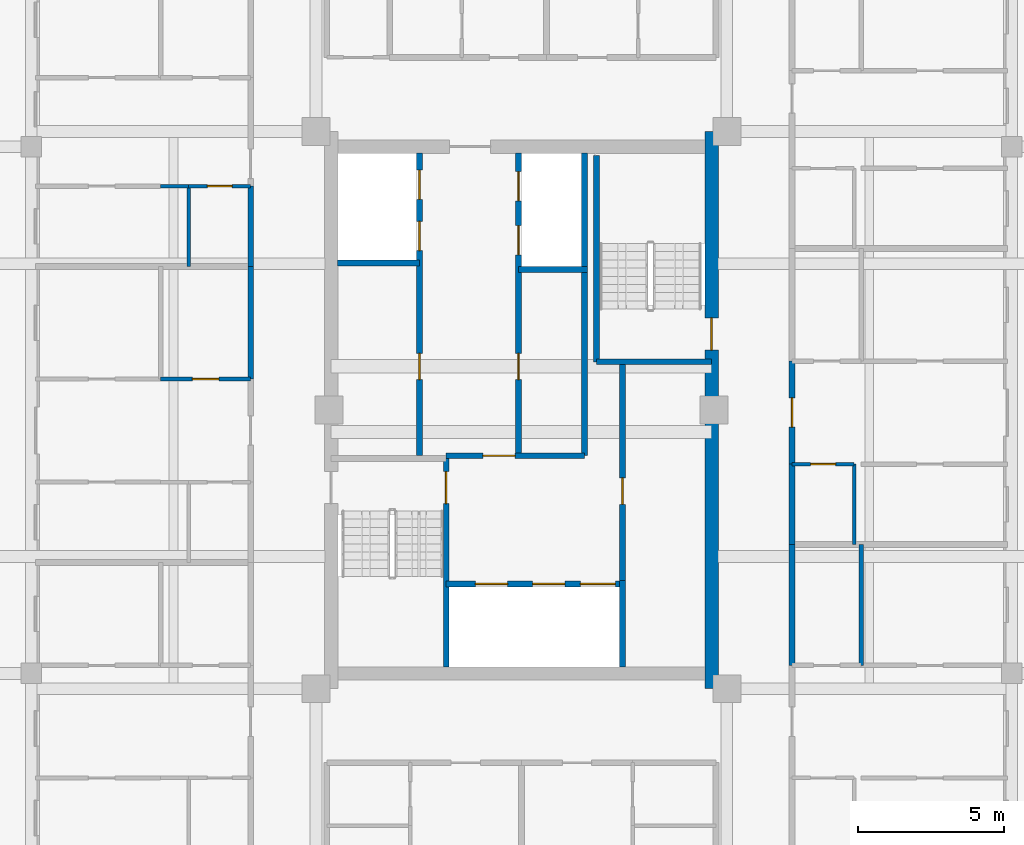
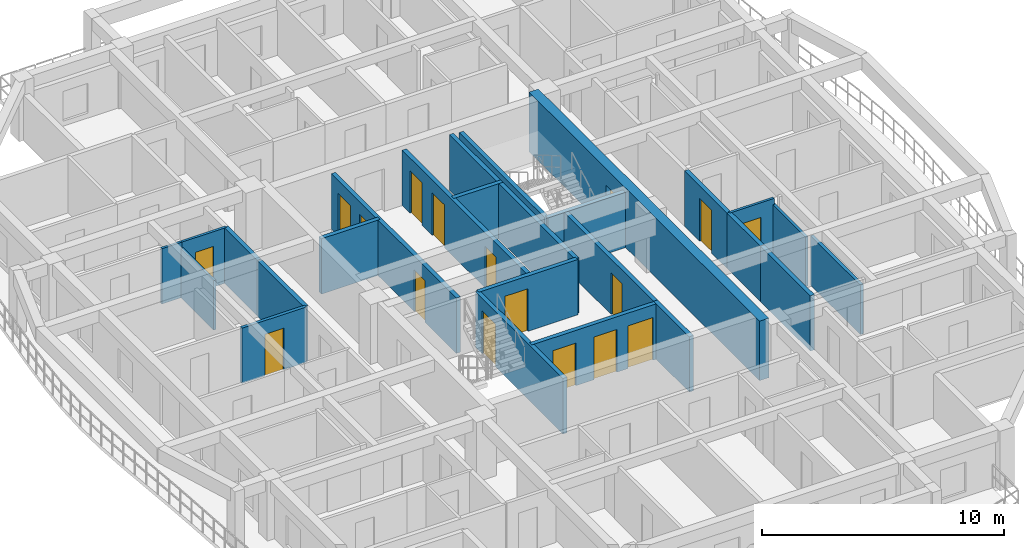
# One storey, part 4 of 13: 26 walls, 17 doors, 17 openings.
"""IFC4 building model written with IfcOpenShell, lengths in metres."""

import ifcopenshell
import ifcopenshell.guid

model = None  # the IFC model being written
_history = None  # IfcOwnerHistory: only IFC2X3 demands one
_inside = {}  # id of a spatial element -> (the spatial element, [elements in it])
_under = {}  # id of a project, library or spatial element -> (it, [spatial elements below it])
_declared = {}  # id of a project -> (the project, [libraries it declares])
_typed = {}  # id of a type object -> (the type object, [elements of that type])
_made_of = {}  # id of a material, layer set ... -> (it, [elements and type objects made of it])


def new_model(schema):
    """Start an empty IFC model of exactly this schema.

    Asked for "IFC4X3", IfcOpenShell would pick the latest addendum, in which some entities
    have other attributes; the version numbers below select the first issue.
    IFC2X3 requires an IfcOwnerHistory on every rooted entity: one is made here for all.
    """
    global model, _history
    if schema == "IFC4X3":
        model = ifcopenshell.file(schema_version=(4, 3, 0, 0))
    else:
        model = ifcopenshell.file(schema=schema)
    _inside.clear()
    _under.clear()
    _declared.clear()
    _typed.clear()
    _made_of.clear()
    _history = None
    if model.schema == "IFC2X3":
        org = make("IfcOrganization", Name="unknown")
        user = make(
            "IfcPersonAndOrganization",
            ThePerson=make("IfcPerson", FamilyName="unknown"),
            TheOrganization=org,
        )
        app = make(
            "IfcApplication",
            ApplicationDeveloper=org,
            Version="unknown",
            ApplicationFullName="unknown",
            ApplicationIdentifier="unknown",
        )
        _history = make(
            "IfcOwnerHistory",
            OwningUser=user,
            OwningApplication=app,
            ChangeAction="ADDED",
            CreationDate=0,
        )
    return model


def make(cls, **values):
    """One entity of the class cls with the attributes given. An attribute that is None is left unset."""
    return model.create_entity(
        cls, **{name: value for name, value in values.items() if value is not None}
    )


def rooted(cls, **values):
    """An entity with a GlobalId (a new one), such as an element, a storey or a relation."""
    return make(cls, GlobalId=ifcopenshell.guid.new(), OwnerHistory=_history, **values)


def si_unit(unit_type, name, prefix=None):
    """IfcSIUnit, for example si_unit("LENGTHUNIT", "METRE", prefix="MILLI")."""
    return make("IfcSIUnit", UnitType=unit_type, Prefix=prefix, Name=name)


def assignment(units):
    """IfcUnitAssignment: the units of a project."""
    return None if units is None else make("IfcUnitAssignment", Units=units)


def point(xyz):
    """IfcCartesianPoint."""
    return None if xyz is None else make("IfcCartesianPoint", Coordinates=xyz)


def direction(xyz):
    """IfcDirection."""
    return None if xyz is None else make("IfcDirection", DirectionRatios=xyz)


def frame(location, z_axis=None, x_axis=None):
    """IfcAxis2Placement3D, a coordinate frame: its origin and axes. An axis left out is left unset."""
    return make(
        "IfcAxis2Placement3D",
        Location=point(location),
        Axis=direction(z_axis),
        RefDirection=direction(x_axis),
    )


def frame_2d(location, x_axis=None):
    """IfcAxis2Placement2D, a coordinate frame in the plane: its origin and x axis."""
    return make(
        "IfcAxis2Placement2D", Location=point(location), RefDirection=direction(x_axis)
    )


def origin():
    """The frame at (0, 0, 0) with its axes left unset."""
    return frame((0.0, 0.0, 0.0))


def place(relative_to, where):
    """IfcLocalPlacement: puts the frame where relative to a parent placement (None: the world)."""
    return make(
        "IfcLocalPlacement", PlacementRelTo=relative_to, RelativePlacement=where
    )


def context(
    kind, dimensions, precision=None, world=None, true_north=None, identifier=None
):
    """IfcGeometricRepresentationContext, for example the 3D "Model" context."""
    return make(
        "IfcGeometricRepresentationContext",
        ContextIdentifier=identifier,
        ContextType=kind,
        CoordinateSpaceDimension=dimensions,
        Precision=precision,
        WorldCoordinateSystem=world,
        TrueNorth=true_north,
    )


def subcontext(parent, identifier, kind, view, scale=None):
    """IfcGeometricRepresentationSubContext, for example "Body" below "Model"."""
    return make(
        "IfcGeometricRepresentationSubContext",
        ContextIdentifier=identifier,
        ContextType=kind,
        ParentContext=parent,
        TargetScale=scale,
        TargetView=view,
    )


def project(units=None, contexts=None):
    """IfcProject with its units and contexts."""
    return rooted(
        "IfcProject",
        Name="project",
        RepresentationContexts=contexts,
        UnitsInContext=assignment(units),
    )


def spatial(cls, under=None, at=None, **own):
    """A site, building, storey or space (cls), placed at a placement, below another one or the project."""
    s = rooted(cls, ObjectPlacement=at, **own)
    if under is not None:
        _under.setdefault(under.id(), (under, []))[1].append(s)
    return s


def profile(cls, at=None, kind="AREA", **sizes):
    """A parametric profile (cls). Its sizes go by their IFC names, for example OverallWidth=200.0."""
    return make(cls, ProfileType=kind, Position=at, **sizes)


def rectangle(**sizes):
    """IfcRectangleProfileDef."""
    return profile("IfcRectangleProfileDef", **sizes)


def extrude(swept, where, along, depth):
    """IfcExtrudedAreaSolid: the profile swept, set in the frame where, extruded along a direction by depth."""
    return make(
        "IfcExtrudedAreaSolid",
        SweptArea=swept,
        Position=where,
        ExtrudedDirection=direction(along),
        Depth=depth,
    )


def shape(context_of_items, identifier, shape_type, items):
    """IfcShapeRepresentation: the items that make up one representation, for example the "Body"."""
    return make(
        "IfcShapeRepresentation",
        ContextOfItems=context_of_items,
        RepresentationIdentifier=identifier,
        RepresentationType=shape_type,
        Items=items,
    )


def source(mapping_origin, context_of_items, identifier, shape_type, items):
    """IfcRepresentationMap: a shape defined once, which mapped items show again and again."""
    return make(
        "IfcRepresentationMap",
        MappingOrigin=mapping_origin,
        MappedRepresentation=shape(context_of_items, identifier, shape_type, items),
    )


def transform(
    local_origin,
    x_axis=None,
    y_axis=None,
    z_axis=None,
    scale=None,
    scale2=None,
    scale3=None,
    uniform=True,
):
    """IfcCartesianTransformationOperator3D, or its non-uniform kind. x_axis, y_axis, z_axis: its Axis1, 2, 3."""
    if uniform:
        return make(
            "IfcCartesianTransformationOperator3D",
            Axis1=direction(x_axis),
            Axis2=direction(y_axis),
            LocalOrigin=point(local_origin),
            Scale=scale,
            Axis3=direction(z_axis),
        )
    return make(
        "IfcCartesianTransformationOperator3DnonUniform",
        Axis1=direction(x_axis),
        Axis2=direction(y_axis),
        LocalOrigin=point(local_origin),
        Scale=scale,
        Axis3=direction(z_axis),
        Scale2=scale2,
        Scale3=scale3,
    )


def mapped(mapping_source, mapping_target):
    """IfcMappedItem: shows the shape of a source again, moved by a transform."""
    return make(
        "IfcMappedItem", MappingSource=mapping_source, MappingTarget=mapping_target
    )


def material(Name=None, Category=None):
    """IfcMaterial."""
    return make("IfcMaterial", Name=Name, Category=Category)


def layer(
    of_material, thickness, ventilated=None, Name=None, Category=None, Priority=None
):
    """IfcMaterialLayer: one layer of a wall or slab, of a material (None: an air gap)."""
    return make(
        "IfcMaterialLayer",
        Material=of_material,
        LayerThickness=thickness,
        IsVentilated=ventilated,
        Name=Name,
        Category=Category,
        Priority=Priority,
    )


def layer_set(layers, Name=None):
    """IfcMaterialLayerSet."""
    return make("IfcMaterialLayerSet", MaterialLayers=layers, LayerSetName=Name)


def made_of(thing, what):
    """Note that an element or type object is made of a material, layer set ...; save() writes the relation."""
    if what is not None:
        _made_of.setdefault(what.id(), (what, []))[1].append(thing)
    return thing


def type_object(cls, material=None, **own):
    """A type object (cls), such as IfcWallType, which elements share."""
    return made_of(rooted(cls, **own), material)


def element(
    cls,
    number,
    at=None,
    inside=None,
    cuts=None,
    type_object=None,
    material=None,
    context=None,
    identifier="Body",
    shape_type=None,
    held_by="IfcProductDefinitionShape",
    body=None,
    shapes=None,
    **own,
):
    """One element of the class cls, such as IfcWall. Its Tag is "e" and its number.

    at: its placement. inside: the storey or other place that contains it. cuts: it is an
    opening in that element (IfcRelVoidsElement). A single representation is given by context,
    identifier, shape_type and body (its items); several are given by shapes. held_by: the class
    of the entity that holds the representations. save() writes the other relations.
    """
    e = rooted(cls, Tag="e%d" % number, ObjectPlacement=at, **own)
    if body is not None:
        shapes = [shape(context, identifier, shape_type, body)]
    if shapes is not None:
        e.Representation = make(held_by, Representations=shapes)
    if inside is not None:
        _inside.setdefault(inside.id(), (inside, []))[1].append(e)
    if cuts is not None:
        rooted(
            "IfcRelVoidsElement", RelatingBuildingElement=cuts, RelatedOpeningElement=e
        )
    if type_object is not None:
        _typed.setdefault(type_object.id(), (type_object, []))[1].append(e)
    return made_of(e, material)


def fill(opening, filler):
    """IfcRelFillsElement: the door or window that sits in an opening."""
    return rooted(
        "IfcRelFillsElement",
        RelatingOpeningElement=opening,
        RelatedBuildingElement=filler,
    )


def aggregate(whole, parts):
    """IfcRelAggregates: a whole, such as a stair, and the parts it consists of."""
    return rooted("IfcRelAggregates", RelatingObject=whole, RelatedObjects=parts)


def save(model, path):
    """Write the relations noted so far, then the file.

    IfcRelAggregates (storeys below a building ...), IfcRelContainedInSpatialStructure (elements
    in a storey), IfcRelDefinesByType, IfcRelAssociatesMaterial and IfcRelDeclares: one each for
    every whole, place, type object, material and project.
    """
    for whole, parts in _under.values():
        aggregate(whole, parts)
    for where, things in _inside.values():
        rooted(
            "IfcRelContainedInSpatialStructure",
            RelatedElements=things,
            RelatingStructure=where,
        )
    for kind, things in _typed.values():
        rooted("IfcRelDefinesByType", RelatedObjects=things, RelatingType=kind)
    for what, things in _made_of.values():
        rooted("IfcRelAssociatesMaterial", RelatedObjects=things, RelatingMaterial=what)
    for by, libraries in _declared.values():
        rooted("IfcRelDeclares", RelatingContext=by, RelatedDefinitions=libraries)
    model.write(path)


model = new_model("IFC4")

# Units and contexts
model_context = context("Model", 3, precision=1e-05, world=origin(), true_north=direction((0.0, 1.0)))
body_context = subcontext(model_context, "Body", "Model", "MODEL_VIEW")
ifc_project = project(units=[si_unit("LENGTHUNIT", "METRE"), si_unit("AREAUNIT", "SQUARE_METRE"), si_unit("VOLUMEUNIT", "CUBIC_METRE"), si_unit("PLANEANGLEUNIT", "RADIAN"), si_unit("MASSUNIT", "GRAM", prefix="KILO")], contexts=[model_context])

# Site, building, storey
site_placement = place(None, origin())
site = spatial("IfcSite", under=ifc_project, at=site_placement, CompositionType="ELEMENT")
building_placement = place(site_placement, origin())
building = spatial("IfcBuilding", under=site, at=building_placement, Name="Saelheon Loggia Tower", CompositionType="ELEMENT")
storey_placement = place(building_placement, frame((0.0, 0.0, 223.199951171875)))
storey = spatial("IfcBuildingStorey", under=building, at=storey_placement, Name="L69", CompositionType="ELEMENT", Elevation=223.199951171875)

# Wall, opening, door
ifc_material_1 = material(Name="Concrete C45/55", Category="concrete")
ifc_layer_1 = layer(ifc_material_1, 0.449951171875)
ifc_layer_set_1 = layer_set([ifc_layer_1], Name="Concrete C45/55")
wall_type_1 = type_object("IfcWallType", Name="Wall_CoreShear_450", PredefinedType="SHEAR", material=ifc_layer_set_1)
wall_1_placement = place(storey_placement, frame((44.5, 17.47998046875, 0.0), z_axis=(0.0, 0.0, 1.0), x_axis=(0.0, 1.0, 0.0)))
wall_1 = element("IfcWall", 1, at=wall_1_placement, inside=storey, type_object=wall_type_1, Name="L69 Core Shear Wall East", PredefinedType="SHEAR", context=body_context, shape_type="SweptSolid", body=[
    extrude(rectangle(XDim=19.0400390625, YDim=0.449951171875, at=frame_2d((9.52001953125, 0.0))), origin(), (0.0, 0.0, 1.0), 3.0),
])
opening_1_placement = place(wall_1_placement, frame((12.670166015625, 0.0, 0.0), z_axis=(0.0, 0.0, 1.0), x_axis=(-1.0, 0.0, 0.0)))
opening_1 = element("IfcOpeningElement", 2, at=opening_1_placement, cuts=wall_1, Name="Opening D-FD2", PredefinedType="OPENING", context=body_context, shape_type="SweptSolid", body=[
    extrude(rectangle(XDim=1.10009765625, YDim=2.14990234375, at=frame_2d((0.550048828125, 1.074951171875))), frame((0.0, 0.237060546875, 0.0), z_axis=(0.0, -1.0, 0.0), x_axis=(1.0, 0.0, 0.0)), (0.0, 0.0, 1.0), 0.473876953125),
])
ifc_material_2 = material(Name="Galvanised Steel Fire Door", Category="steel")
door_type_1 = type_object("IfcDoorType", Name="Door_Fire_FD60_1100", OperationType="NOTDEFINED", PredefinedType="DOOR", material=ifc_material_2)
shared_shape_1 = source(origin(), body_context, "Body", "SweptSolid", [
    extrude(rectangle(XDim=1.10009765625, YDim=2.14990234375, at=frame_2d((0.550048828125, 1.074951171875))), frame((0.0, 0.02490234375, 0.0), z_axis=(0.0, -1.0, 0.0), x_axis=(1.0, 0.0, 0.0)), (0.0, 0.0, 1.0), 0.050048828125),
])
door_1_placement = place(opening_1_placement, origin())
door_1 = element("IfcDoor", 3, at=door_1_placement, inside=storey, type_object=door_type_1, Name="L69 Stair ST2 Corridor Door", OperationType="SINGLE_SWING_RIGHT", OverallHeight=2.14990234375, OverallWidth=1.10009765625, PredefinedType="DOOR", context=body_context, shape_type="MappedRepresentation", body=[
    mapped(shared_shape_1, transform((0.0, 0.0, 0.0), scale=1.0)),
])
fill(opening_1, door_1)

ifc_material_3 = material(Name="Lightweight Autoclaved Aerated Concrete Block and Acoustic Gypsum", Category="concrete")
ifc_layer_2 = layer(ifc_material_3, 0.14990234375)
ifc_layer_set_2 = layer_set([ifc_layer_2], Name="Lightweight Autoclaved Aerated Concrete Block and Acoustic Gypsum")
wall_type_2 = type_object("IfcWallType", Name="Wall_Part_150", PredefinedType="PARTITIONING", material=ifc_layer_set_2)
wall_2_placement = place(storey_placement, frame((28.75, 28.06005859375, 0.0), z_axis=(0.0, 0.0, 1.0), x_axis=(-1.0, 0.0, 0.0)))
wall_2 = element("IfcWall", 4, at=wall_2_placement, inside=storey, type_object=wall_type_2, Name="L69 W Partition U22", PredefinedType="PARTITIONING", context=body_context, shape_type="SweptSolid", body=[
    extrude(rectangle(XDim=3.080078125, YDim=0.14990234375, at=frame_2d((1.5400390625, 0.0))), origin(), (0.0, 0.0, 1.0), 2.7900390625),
])
opening_2_placement = place(wall_2_placement, frame((1.090087890625, 0.0, 0.0)))
opening_2 = element("IfcOpeningElement", 5, at=opening_2_placement, cuts=wall_2, Name="Opening D-IN2", PredefinedType="OPENING", context=body_context, shape_type="SweptSolid", body=[
    extrude(rectangle(XDim=0.89990234375, YDim=2.10009765625, at=frame_2d((0.449951171875, 1.050048828125))), frame((0.0, 0.0869140625, 0.0), z_axis=(0.0, -1.0, 0.0), x_axis=(1.0, 0.0, 0.0)), (0.0, 0.0, 1.0), 0.173828125),
])
ifc_material_4 = material(Name="Engineered Oak Flush Door", Category="timber")
door_type_2 = type_object("IfcDoorType", Name="Door_Int_900", OperationType="NOTDEFINED", PredefinedType="DOOR", material=ifc_material_4)
shared_shape_2 = source(origin(), body_context, "Body", "SweptSolid", [
    extrude(rectangle(XDim=0.89990234375, YDim=2.10009765625, at=frame_2d((0.449951171875, 1.050048828125))), frame((0.0, 0.02490234375, 0.0), z_axis=(0.0, -1.0, 0.0), x_axis=(1.0, 0.0, 0.0)), (0.0, 0.0, 1.0), 0.050048828125),
])
door_2_placement = place(opening_2_placement, origin())
door_2 = element("IfcDoor", 6, at=door_2_placement, inside=storey, type_object=door_type_2, Name="Unit U06 Home Office Door", OperationType="SINGLE_SWING_LEFT", OverallHeight=2.10009765625, OverallWidth=0.89990234375, PredefinedType="DOOR", context=body_context, shape_type="MappedRepresentation", body=[
    mapped(shared_shape_2, transform((0.0, 0.0, 0.0), scale=1.0)),
])
fill(opening_2, door_2)

# Walls
wall_3_placement = place(storey_placement, frame((49.610107421875, 18.280029296875, 0.0), z_axis=(0.0, 0.0, 1.0), x_axis=(0.0, 1.0, 0.0)))
element("IfcWall", 7, at=wall_3_placement, inside=storey, type_object=wall_type_2, Name="L69 E Partition V07", PredefinedType="PARTITIONING", context=body_context, shape_type="SweptSolid", body=[
    extrude(rectangle(XDim=4.1240234375, YDim=0.14990234375, at=frame_2d((2.06201171875, 0.0))), origin(), (0.0, 0.0, 1.0), 2.489990234375),
])
ifc_material_5 = material(Name="Double Acoustic Stud and Fireboard Partition", Category="gypsum")
ifc_layer_3 = layer(ifc_material_5, 0.199951171875)
ifc_layer_set_3 = layer_set([ifc_layer_3], Name="Double Acoustic Stud and Fireboard Partition")
wall_type_3 = type_object("IfcWallType", Name="Wall_Party_200", PredefinedType="PARTITIONING", material=ifc_layer_set_3)
wall_4_placement = place(storey_placement, frame((28.75, 28.06005859375, 0.0), z_axis=(0.0, 0.0, 1.0), x_axis=(0.0, 1.0, 0.0)))
element("IfcWall", 8, at=wall_4_placement, inside=storey, type_object=wall_type_3, Name="L69 W Partition V16", PredefinedType="PARTITIONING", context=body_context, shape_type="SweptSolid", body=[
    extrude(rectangle(XDim=3.84228515625, YDim=0.199951171875, at=frame_2d((1.921142578125, 0.0))), origin(), (0.0, 0.0, 1.0), 2.7900390625),
])
wall_5_placement = place(storey_placement, frame((28.75, 31.90234375, 0.0), z_axis=(0.0, 0.0, 1.0), x_axis=(0.0, 1.0, 0.0)))
element("IfcWall", 9, at=wall_5_placement, inside=storey, type_object=wall_type_3, Name="L69 W Partition V25", PredefinedType="PARTITIONING", context=body_context, shape_type="SweptSolid", body=[
    extrude(rectangle(XDim=2.75, YDim=0.199951171875, at=frame_2d((1.375, 0.0))), origin(), (0.0, 0.0, 1.0), 2.7900390625),
])
wall_6_placement = place(storey_placement, frame((47.25, 18.280029296875, 0.0), z_axis=(0.0, 0.0, 1.0), x_axis=(0.0, 1.0, 0.0)))
element("IfcWall", 10, at=wall_6_placement, inside=storey, type_object=wall_type_3, Name="L69 E Partition V05", PredefinedType="PARTITIONING", context=body_context, shape_type="SweptSolid", body=[
    extrude(rectangle(XDim=4.1240234375, YDim=0.199951171875, at=frame_2d((2.06201171875, 0.0))), origin(), (0.0, 0.0, 1.0), 2.7900390625),
])
wall_7_placement = place(storey_placement, frame((47.25, 22.404052734375, 0.0), z_axis=(0.0, 0.0, 1.0), x_axis=(0.0, 1.0, 0.0)))
element("IfcWall", 11, at=wall_7_placement, inside=storey, type_object=wall_type_3, Name="L69 E Partition V13", PredefinedType="PARTITIONING", context=body_context, shape_type="SweptSolid", body=[
    extrude(rectangle(XDim=2.75, YDim=0.199951171875, at=frame_2d((1.375, 0.0))), origin(), (0.0, 0.0, 1.0), 2.7900390625),
])

# Wall, opening, door
wall_8_placement = place(storey_placement, frame((47.25, 25.154052734375, 0.0), z_axis=(0.0, 0.0, 1.0), x_axis=(0.0, 1.0, 0.0)))
wall_8 = element("IfcWall", 12, at=wall_8_placement, inside=storey, type_object=wall_type_3, Name="L69 E Partition V14", PredefinedType="PARTITIONING", context=body_context, shape_type="SweptSolid", body=[
    extrude(rectangle(XDim=3.518798828125, YDim=0.199951171875, at=frame_2d((1.75927734375, 0.0))), origin(), (0.0, 0.0, 1.0), 2.7900390625),
])
opening_3_placement = place(wall_8_placement, frame((1.259521484375, 0.0, 0.0)))
opening_3 = element("IfcOpeningElement", 13, at=opening_3_placement, cuts=wall_8, Name="Opening D-FD1", PredefinedType="OPENING", context=body_context, shape_type="SweptSolid", body=[
    extrude(rectangle(XDim=1.0, YDim=2.14990234375, at=frame_2d((0.5, 1.074951171875))), frame((0.0, 0.112060546875, 0.0), z_axis=(0.0, -1.0, 0.0), x_axis=(1.0, 0.0, 0.0)), (0.0, 0.0, 1.0), 0.223876953125),
])
ifc_material_6 = material(Name="Fire-Rated Engineered Timber Entrance Door", Category="wood")
door_type_3 = type_object("IfcDoorType", Name="Door_Flat_FD30S", OperationType="NOTDEFINED", PredefinedType="DOOR", material=ifc_material_6)
shared_shape_3 = source(origin(), body_context, "Body", "SweptSolid", [
    extrude(rectangle(XDim=1.0, YDim=2.14990234375, at=frame_2d((0.5, 1.074951171875))), frame((0.0, 0.02490234375, 0.0), z_axis=(0.0, -1.0, 0.0), x_axis=(1.0, 0.0, 0.0)), (0.0, 0.0, 1.0), 0.050048828125),
])
door_3_placement = place(opening_3_placement, origin())
door_3 = element("IfcDoor", 14, at=door_3_placement, inside=storey, type_object=door_type_3, Name="Unit U09 Entrance Door", OperationType="SINGLE_SWING_LEFT", OverallHeight=2.14990234375, OverallWidth=1.0, PredefinedType="DOOR", context=body_context, shape_type="MappedRepresentation", body=[
    mapped(shared_shape_3, transform((0.0, 0.0, 0.0), scale=1.0)),
])
fill(opening_3, door_3)

# Wall
ifc_material_7 = material(Name="Concrete C40/50", Category="concrete")
ifc_layer_4 = layer(ifc_material_7, 0.199951171875)
ifc_layer_set_4 = layer_set([ifc_layer_4], Name="Concrete C40/50")
wall_type_4 = type_object("IfcWallType", Name="Wall_Shaft_200", PredefinedType="PARTITIONING", material=ifc_layer_set_4)
wall_9_placement = place(storey_placement, frame((41.449951171875, 18.219970703125, 0.0), z_axis=(0.0, 0.0, 1.0), x_axis=(0.0, 1.0, 0.0)))
element("IfcWall", 15, at=wall_9_placement, inside=storey, type_object=wall_type_4, Name="CW-INT-L69-BOH-W0", PredefinedType="PARTITIONING", context=body_context, shape_type="SweptSolid", body=[
    extrude(rectangle(XDim=2.9599609375, YDim=0.199951171875, at=frame_2d((1.47998046875, 0.0))), origin(), (0.0, 0.0, 1.0), 2.7900390625),
])

# Wall, opening, door
wall_10_placement = place(storey_placement, frame((41.449951171875, 21.179931640625, 0.0), z_axis=(0.0, 0.0, 1.0), x_axis=(0.0, 1.0, 0.0)))
wall_10 = element("IfcWall", 16, at=wall_10_placement, inside=storey, type_object=wall_type_4, Name="CW-INT-L69-BOH-W1", PredefinedType="PARTITIONING", context=body_context, shape_type="SweptSolid", body=[
    extrude(rectangle(XDim=7.420166015625, YDim=0.199951171875, at=frame_2d((3.7099609375, 0.0))), origin(), (0.0, 0.0, 1.0), 2.7900390625),
])
opening_4_placement = place(wall_10_placement, frame((2.60009765625, 0.0, 0.0)))
opening_4 = element("IfcOpeningElement", 17, at=opening_4_placement, cuts=wall_10, Name="Opening D-RS1", PredefinedType="OPENING", context=body_context, shape_type="SweptSolid", body=[
    extrude(rectangle(XDim=0.89990234375, YDim=2.10009765625, at=frame_2d((0.449951171875, 1.050048828125))), frame((0.0, 0.112060546875, 0.0), z_axis=(0.0, -1.0, 0.0), x_axis=(1.0, 0.0, 0.0)), (0.0, 0.0, 1.0), 0.223876953125),
])
ifc_material_8 = material(Name="Galvanised Steel Riser Access Door", Category="steel")
door_type_4 = type_object("IfcDoorType", Name="Door_Riser_FD60", OperationType="NOTDEFINED", PredefinedType="DOOR", material=ifc_material_8)
door_4_placement = place(opening_4_placement, origin())
door_4 = element("IfcDoor", 18, at=door_4_placement, inside=storey, type_object=door_type_4, Name="L69 Core Service Store Door", OperationType="SINGLE_SWING_LEFT", OverallHeight=2.10009765625, OverallWidth=0.89990234375, PredefinedType="DOOR", context=body_context, shape_type="MappedRepresentation", body=[
    mapped(shared_shape_2, transform((0.0, 0.0, 0.0), scale=1.0)),
])
fill(opening_4, door_4)

# Walls
wall_11_placement = place(storey_placement, frame((40.14990234375, 25.43994140625, 0.0), z_axis=(0.0, 0.0, 1.0), x_axis=(0.0, 1.0, 0.0)))
element("IfcWall", 19, at=wall_11_placement, inside=storey, type_object=wall_type_4, Name="L69 Core Service Passage West Wall", PredefinedType="PARTITIONING", context=body_context, shape_type="SweptSolid", body=[
    extrude(rectangle(XDim=6.360107421875, YDim=0.199951171875, at=frame_2d((3.18017578125, 0.0))), origin(), (0.0, 0.0, 1.0), 2.7900390625),
])
wall_12_placement = place(storey_placement, frame((40.14990234375, 31.800048828125, 0.0), z_axis=(0.0, 0.0, 1.0), x_axis=(0.0, 1.0, 0.0)))
element("IfcWall", 20, at=wall_12_placement, inside=storey, type_object=wall_type_4, Name="L69 East High-Rise Hoistway East Wall", PredefinedType="PARTITIONING", context=body_context, shape_type="SweptSolid", body=[
    extrude(rectangle(XDim=3.97998046875, YDim=0.199951171875, at=frame_2d((1.989990234375, 0.0))), origin(), (0.0, 0.0, 1.0), 2.7900390625),
])

# Wall, openings, doors
wall_13_placement = place(storey_placement, frame((35.429931640625, 21.06005859375, 0.0), z_axis=(0.0, 0.0, 1.0), x_axis=(1.0, 0.0, 0.0)))
wall_13 = element("IfcWall", 21, at=wall_13_placement, inside=storey, type_object=wall_type_4, Name="L69 Firefighting Lift Shaft Front Wall", PredefinedType="PARTITIONING", context=body_context, shape_type="SweptSolid", body=[
    extrude(rectangle(XDim=6.02001953125, YDim=0.199951171875, at=frame_2d((3.010009765625, 0.0))), origin(), (0.0, 0.0, 1.0), 2.7900390625),
])
opening_5_placement = place(wall_13_placement, frame((1.0, 0.0, 0.0)))
opening_5 = element("IfcOpeningElement", 22, at=opening_5_placement, cuts=wall_13, Name="Opening LD2", PredefinedType="OPENING", context=body_context, shape_type="SweptSolid", body=[
    extrude(rectangle(XDim=1.10009765625, YDim=2.14990234375, at=frame_2d((0.550048828125, 1.074951171875))), frame((0.0, 0.112060546875, 0.0), z_axis=(0.0, -1.0, 0.0), x_axis=(1.0, 0.0, 0.0)), (0.0, 0.0, 1.0), 0.223876953125),
])
opening_6_placement = place(wall_13_placement, frame((2.949951171875, 0.0, 0.0)))
opening_6 = element("IfcOpeningElement", 23, at=opening_6_placement, cuts=wall_13, Name="Opening LD2", PredefinedType="OPENING", context=body_context, shape_type="SweptSolid", body=[
    extrude(rectangle(XDim=1.10009765625, YDim=2.14990234375, at=frame_2d((0.550048828125, 1.074951171875))), frame((0.0, 0.112060546875, 0.0), z_axis=(0.0, -1.0, 0.0), x_axis=(1.0, 0.0, 0.0)), (0.0, 0.0, 1.0), 0.223876953125),
])
opening_7_placement = place(wall_13_placement, frame((4.580078125, 0.0, 0.0)))
opening_7 = element("IfcOpeningElement", 24, at=opening_7_placement, cuts=wall_13, Name="Opening LD3", PredefinedType="OPENING", context=body_context, shape_type="SweptSolid", body=[
    extrude(rectangle(XDim=1.199951171875, YDim=2.14990234375, at=frame_2d((0.60009765625, 1.074951171875))), frame((0.0, 0.112060546875, 0.0), z_axis=(0.0, -1.0, 0.0), x_axis=(1.0, 0.0, 0.0)), (0.0, 0.0, 1.0), 0.223876953125),
])
ifc_material_9 = material(Name="Firefighting Stainless Steel 316 Landing Door", Category="steel")
door_type_5 = type_object("IfcDoorType", Name="Door_Lift_LD2", OperationType="DOUBLE_DOOR_SLIDING", PredefinedType="DOOR", material=ifc_material_9)
door_5_placement = place(opening_5_placement, origin())
door_5 = element("IfcDoor", 25, at=door_5_placement, inside=storey, type_object=door_type_5, Name="L69 FF1 Landing Door", OperationType="DOUBLE_DOOR_SLIDING", OverallHeight=2.14990234375, OverallWidth=1.10009765625, PredefinedType="DOOR", context=body_context, shape_type="MappedRepresentation", body=[
    mapped(shared_shape_1, transform((0.0, 0.0, 0.0), scale=1.0)),
])
fill(opening_5, door_5)
door_6_placement = place(opening_6_placement, origin())
door_6 = element("IfcDoor", 26, at=door_6_placement, inside=storey, type_object=door_type_5, Name="L69 FF2 Landing Door", OperationType="DOUBLE_DOOR_SLIDING", OverallHeight=2.14990234375, OverallWidth=1.10009765625, PredefinedType="DOOR", context=body_context, shape_type="MappedRepresentation", body=[
    mapped(shared_shape_1, transform((0.0, 0.0, 0.0), scale=1.0)),
])
fill(opening_6, door_6)
ifc_material_10 = material(Name="Stretcher Lift Stainless Steel 304 Landing Door", Category="steel")
door_type_6 = type_object("IfcDoorType", Name="Door_Lift_LD3", OperationType="DOUBLE_DOOR_SLIDING", PredefinedType="DOOR", material=ifc_material_10)
shared_shape_4 = source(origin(), body_context, "Body", "SweptSolid", [
    extrude(rectangle(XDim=1.199951171875, YDim=2.14990234375, at=frame_2d((0.60009765625, 1.074951171875))), frame((0.0, 0.02490234375, 0.0), z_axis=(0.0, -1.0, 0.0), x_axis=(1.0, 0.0, 0.0)), (0.0, 0.0, 1.0), 0.050048828125),
])
door_7_placement = place(opening_7_placement, origin())
door_7 = element("IfcDoor", 27, at=door_7_placement, inside=storey, type_object=door_type_6, Name="L69 SV1 Landing Door", OperationType="DOUBLE_DOOR_SLIDING", OverallHeight=2.14990234375, OverallWidth=1.199951171875, PredefinedType="DOOR", context=body_context, shape_type="MappedRepresentation", body=[
    mapped(shared_shape_4, transform((0.0, 0.0, 0.0), scale=1.0)),
])
fill(opening_7, door_7)

# Wall, opening, door
wall_14_placement = place(storey_placement, frame((35.429931640625, 25.43994140625, 0.0), z_axis=(0.0, 0.0, 1.0), x_axis=(1.0, 0.0, 0.0)))
wall_14 = element("IfcWall", 28, at=wall_14_placement, inside=storey, type_object=wall_type_4, Name="L69 Firefighting Lobby Compartment Wall", PredefinedType="PARTITIONING", context=body_context, shape_type="SweptSolid", body=[
    extrude(rectangle(XDim=4.719970703125, YDim=0.199951171875, at=frame_2d((2.35986328125, 0.0))), origin(), (0.0, 0.0, 1.0), 2.7900390625),
])
opening_8_placement = place(wall_14_placement, frame((1.25, 0.0, 0.0)))
opening_8 = element("IfcOpeningElement", 29, at=opening_8_placement, cuts=wall_14, Name="Opening D-FD2", PredefinedType="OPENING", context=body_context, shape_type="SweptSolid", body=[
    extrude(rectangle(XDim=1.10009765625, YDim=2.14990234375, at=frame_2d((0.550048828125, 1.074951171875))), frame((0.0, 0.112060546875, 0.0), z_axis=(0.0, -1.0, 0.0), x_axis=(1.0, 0.0, 0.0)), (0.0, 0.0, 1.0), 0.223876953125),
])
door_8_placement = place(opening_8_placement, origin())
door_8 = element("IfcDoor", 30, at=door_8_placement, inside=storey, type_object=door_type_1, Name="L69 Firefighting Lobby Door", OperationType="SINGLE_SWING_RIGHT", OverallHeight=2.14990234375, OverallWidth=1.10009765625, PredefinedType="DOOR", context=body_context, shape_type="MappedRepresentation", body=[
    mapped(shared_shape_1, transform((0.0, 0.0, 0.0), scale=1.0)),
])
fill(opening_8, door_8)

# Wall, openings, doors
wall_15_placement = place(storey_placement, frame((34.52001953125, 25.43994140625, 0.0), z_axis=(0.0, 0.0, 1.0), x_axis=(0.0, 1.0, 0.0)))
wall_15 = element("IfcWall", 31, at=wall_15_placement, inside=storey, type_object=wall_type_4, Name="L69 West Passenger Lift Bank Wall", PredefinedType="PARTITIONING", context=body_context, shape_type="SweptSolid", body=[
    extrude(rectangle(XDim=10.340087890625, YDim=0.199951171875, at=frame_2d((5.169921875, 0.0))), origin(), (0.0, 0.0, 1.0), 2.7900390625),
])
opening_9_placement = place(wall_15_placement, frame((2.60009765625, 0.0, 0.0)))
opening_9 = element("IfcOpeningElement", 32, at=opening_9_placement, cuts=wall_15, Name="Opening D-RS1", PredefinedType="OPENING", context=body_context, shape_type="SweptSolid", body=[
    extrude(rectangle(XDim=0.89990234375, YDim=2.10009765625, at=frame_2d((0.449951171875, 1.050048828125))), frame((0.0, 0.112060546875, 0.0), z_axis=(0.0, -1.0, 0.0), x_axis=(1.0, 0.0, 0.0)), (0.0, 0.0, 1.0), 0.223876953125),
])
opening_10_placement = place(wall_15_placement, frame((7.010009765625, 0.0, 0.0)))
opening_10 = element("IfcOpeningElement", 33, at=opening_10_placement, cuts=wall_15, Name="Opening LD1", PredefinedType="OPENING", context=body_context, shape_type="SweptSolid", body=[
    extrude(rectangle(XDim=1.0, YDim=2.14990234375, at=frame_2d((0.5, 1.074951171875))), frame((0.0, 0.112060546875, 0.0), z_axis=(0.0, -1.0, 0.0), x_axis=(1.0, 0.0, 0.0)), (0.0, 0.0, 1.0), 0.223876953125),
])
opening_11_placement = place(wall_15_placement, frame((8.760009765625, 0.0, 0.0)))
opening_11 = element("IfcOpeningElement", 34, at=opening_11_placement, cuts=wall_15, Name="Opening LD1", PredefinedType="OPENING", context=body_context, shape_type="SweptSolid", body=[
    extrude(rectangle(XDim=1.0, YDim=2.14990234375, at=frame_2d((0.5, 1.074951171875))), frame((0.0, 0.112060546875, 0.0), z_axis=(0.0, -1.0, 0.0), x_axis=(1.0, 0.0, 0.0)), (0.0, 0.0, 1.0), 0.223876953125),
])
door_9_placement = place(opening_9_placement, origin())
door_9 = element("IfcDoor", 35, at=door_9_placement, inside=storey, type_object=door_type_4, Name="L69 Core Parcel Room Door", OperationType="SINGLE_SWING_RIGHT", OverallHeight=2.10009765625, OverallWidth=0.89990234375, PredefinedType="DOOR", context=body_context, shape_type="MappedRepresentation", body=[
    mapped(shared_shape_2, transform((0.0, 0.0, 0.0), scale=1.0)),
])
fill(opening_9, door_9)
ifc_material_11 = material(Name="Brushed Stainless Steel 304 Landing Door", Category="steel")
door_type_7 = type_object("IfcDoorType", Name="Door_Lift_LD1", OperationType="DOUBLE_DOOR_SLIDING", PredefinedType="DOOR", material=ifc_material_11)
door_10_placement = place(opening_10_placement, origin())
door_10 = element("IfcDoor", 36, at=door_10_placement, inside=storey, type_object=door_type_7, Name="L69 PH1 Landing Door", OperationType="DOUBLE_DOOR_SLIDING", OverallHeight=2.14990234375, OverallWidth=1.0, PredefinedType="DOOR", context=body_context, shape_type="MappedRepresentation", body=[
    mapped(shared_shape_3, transform((0.0, 0.0, 0.0), scale=1.0)),
])
fill(opening_10, door_10)
door_11_placement = place(opening_11_placement, origin())
door_11 = element("IfcDoor", 37, at=door_11_placement, inside=storey, type_object=door_type_7, Name="L69 PH2 Landing Door", OperationType="DOUBLE_DOOR_SLIDING", OverallHeight=2.14990234375, OverallWidth=1.0, PredefinedType="DOOR", context=body_context, shape_type="MappedRepresentation", body=[
    mapped(shared_shape_3, transform((0.0, 0.0, 0.0), scale=1.0)),
])
fill(opening_11, door_11)

# Wall
wall_16_placement = place(storey_placement, frame((31.719970703125, 32.02001953125, 0.0), z_axis=(0.0, 0.0, 1.0), x_axis=(1.0, 0.0, 0.0)))
element("IfcWall", 38, at=wall_16_placement, inside=storey, type_object=wall_type_4, Name="L69 West High-Rise Shaft Divider", PredefinedType="PARTITIONING", context=body_context, shape_type="SweptSolid", body=[
    extrude(rectangle(XDim=2.800048828125, YDim=0.199951171875, at=frame_2d((1.39990234375, 0.0))), origin(), (0.0, 0.0, 1.0), 2.7900390625),
])

# Wall, openings, doors
wall_17_placement = place(storey_placement, frame((37.89990234375, 25.43994140625, 0.0), z_axis=(0.0, 0.0, 1.0), x_axis=(0.0, 1.0, 0.0)))
wall_17 = element("IfcWall", 39, at=wall_17_placement, inside=storey, type_object=wall_type_4, Name="L69 East Passenger Lift Bank Wall", PredefinedType="PARTITIONING", context=body_context, shape_type="SweptSolid", body=[
    extrude(rectangle(XDim=10.340087890625, YDim=0.199951171875, at=frame_2d((5.169921875, 0.0))), origin(), (0.0, 0.0, 1.0), 2.7900390625),
])
opening_12_placement = place(wall_17_placement, frame((2.60009765625, 0.0, 0.0)))
opening_12 = element("IfcOpeningElement", 40, at=opening_12_placement, cuts=wall_17, Name="Opening D-RS1", PredefinedType="OPENING", context=body_context, shape_type="SweptSolid", body=[
    extrude(rectangle(XDim=0.89990234375, YDim=2.10009765625, at=frame_2d((0.449951171875, 1.050048828125))), frame((0.0, 0.112060546875, 0.0), z_axis=(0.0, -1.0, 0.0), x_axis=(1.0, 0.0, 0.0)), (0.0, 0.0, 1.0), 0.223876953125),
])
opening_13_placement = place(wall_17_placement, frame((6.860107421875, 0.0, 0.0)))
opening_13 = element("IfcOpeningElement", 41, at=opening_13_placement, cuts=wall_17, Name="Opening LD1", PredefinedType="OPENING", context=body_context, shape_type="SweptSolid", body=[
    extrude(rectangle(XDim=1.0, YDim=2.14990234375, at=frame_2d((0.5, 1.074951171875))), frame((0.0, 0.112060546875, 0.0), z_axis=(0.0, -1.0, 0.0), x_axis=(1.0, 0.0, 0.0)), (0.0, 0.0, 1.0), 0.223876953125),
])
opening_14_placement = place(wall_17_placement, frame((8.7099609375, 0.0, 0.0)))
opening_14 = element("IfcOpeningElement", 42, at=opening_14_placement, cuts=wall_17, Name="Opening LD1", PredefinedType="OPENING", context=body_context, shape_type="SweptSolid", body=[
    extrude(rectangle(XDim=1.0, YDim=2.14990234375, at=frame_2d((0.5, 1.074951171875))), frame((0.0, 0.112060546875, 0.0), z_axis=(0.0, -1.0, 0.0), x_axis=(1.0, 0.0, 0.0)), (0.0, 0.0, 1.0), 0.223876953125),
])
door_12_placement = place(opening_12_placement, origin())
door_12 = element("IfcDoor", 43, at=door_12_placement, inside=storey, type_object=door_type_4, Name="L69 Upper Storage Room Door", OperationType="SINGLE_SWING_LEFT", OverallHeight=2.10009765625, OverallWidth=0.89990234375, PredefinedType="DOOR", context=body_context, shape_type="MappedRepresentation", body=[
    mapped(shared_shape_2, transform((0.0, 0.0, 0.0), scale=1.0)),
])
fill(opening_12, door_12)
door_13_placement = place(opening_13_placement, origin())
door_13 = element("IfcDoor", 44, at=door_13_placement, inside=storey, type_object=door_type_7, Name="L69 PH3 Landing Door", OperationType="DOUBLE_DOOR_SLIDING", OverallHeight=2.14990234375, OverallWidth=1.0, PredefinedType="DOOR", context=body_context, shape_type="MappedRepresentation", body=[
    mapped(shared_shape_3, transform((0.0, 0.0, 0.0), scale=1.0)),
])
fill(opening_13, door_13)
door_14_placement = place(opening_14_placement, origin())
door_14 = element("IfcDoor", 45, at=door_14_placement, inside=storey, type_object=door_type_7, Name="L69 PH4 Landing Door", OperationType="DOUBLE_DOOR_SLIDING", OverallHeight=2.14990234375, OverallWidth=1.0, PredefinedType="DOOR", context=body_context, shape_type="MappedRepresentation", body=[
    mapped(shared_shape_3, transform((0.0, 0.0, 0.0), scale=1.0)),
])
fill(opening_14, door_14)

# Wall
wall_18_placement = place(storey_placement, frame((37.89990234375, 31.800048828125, 0.0), z_axis=(0.0, 0.0, 1.0), x_axis=(1.0, 0.0, 0.0)))
element("IfcWall", 46, at=wall_18_placement, inside=storey, type_object=wall_type_4, Name="L69 East High-Rise Shaft Divider", PredefinedType="PARTITIONING", context=body_context, shape_type="SweptSolid", body=[
    extrude(rectangle(XDim=2.35009765625, YDim=0.199951171875, at=frame_2d((1.175048828125, 0.0))), origin(), (0.0, 0.0, 1.0), 2.7900390625),
])

# Wall, opening, door
ifc_layer_5 = layer(ifc_material_1, 0.199951171875)
ifc_layer_set_5 = layer_set([ifc_layer_5], Name="Concrete C45/55")
wall_type_5 = type_object("IfcWallType", Name="Wall_StairShaft_RC200", PredefinedType="SOLIDWALL", material=ifc_layer_set_5)
wall_19_placement = place(storey_placement, frame((35.429931640625, 18.219970703125, 0.0), z_axis=(0.0, 0.0, 1.0), x_axis=(0.0, 1.0, 0.0)))
wall_19 = element("IfcWall", 47, at=wall_19_placement, inside=storey, type_object=wall_type_5, Name="L69 Stair ST1 Shaft Wall", PredefinedType="SOLIDWALL", context=body_context, shape_type="SweptSolid", body=[
    extrude(rectangle(XDim=7.219970703125, YDim=0.199951171875, at=frame_2d((3.60986328125, 0.0))), origin(), (0.0, 0.0, 1.0), 2.7900390625),
])
opening_15_placement = place(wall_19_placement, frame((6.68017578125, 0.0, 0.0), z_axis=(0.0, 0.0, 1.0), x_axis=(-1.0, 0.0, 0.0)))
opening_15 = element("IfcOpeningElement", 48, at=opening_15_placement, cuts=wall_19, Name="Opening D-FD2", PredefinedType="OPENING", context=body_context, shape_type="SweptSolid", body=[
    extrude(rectangle(XDim=1.10009765625, YDim=2.14990234375, at=frame_2d((0.550048828125, 1.074951171875))), frame((0.0, 0.112060546875, 0.0), z_axis=(0.0, -1.0, 0.0), x_axis=(1.0, 0.0, 0.0)), (0.0, 0.0, 1.0), 0.223876953125),
])
door_15_placement = place(opening_15_placement, origin())
door_15 = element("IfcDoor", 49, at=door_15_placement, inside=storey, type_object=door_type_1, Name="L69 Stair ST1 Lobby Door", OperationType="SINGLE_SWING_LEFT", OverallHeight=2.14990234375, OverallWidth=1.10009765625, PredefinedType="DOOR", context=body_context, shape_type="MappedRepresentation", body=[
    mapped(shared_shape_1, transform((0.0, 0.0, 0.0), scale=1.0)),
])
fill(opening_15, door_15)

# Walls
wall_20_placement = place(storey_placement, frame((40.570068359375, 28.64990234375, 0.0), z_axis=(0.0, 0.0, 1.0), x_axis=(0.0, 1.0, 0.0)))
element("IfcWall", 50, at=wall_20_placement, inside=storey, type_object=wall_type_5, Name="L69 Stair ST2 Shaft Wall", PredefinedType="SOLIDWALL", context=body_context, shape_type="SweptSolid", body=[
    extrude(rectangle(XDim=7.050048828125, YDim=0.199951171875, at=frame_2d((3.52490234375, 0.0))), origin(), (0.0, 0.0, 1.0), 2.7900390625),
])
wall_21_placement = place(storey_placement, frame((40.570068359375, 28.64990234375, 0.0), z_axis=(0.0, 0.0, 1.0), x_axis=(1.0, 0.0, 0.0)))
element("IfcWall", 51, at=wall_21_placement, inside=storey, type_object=wall_type_5, Name="L69 Stair ST2 South Wall", PredefinedType="SOLIDWALL", context=body_context, shape_type="SweptSolid", body=[
    extrude(rectangle(XDim=3.929931640625, YDim=0.199951171875, at=frame_2d((1.96484375, 0.0))), origin(), (0.0, 0.0, 1.0), 2.7900390625),
])
ifc_material_12 = material(Name="Moisture-Resistant Cement Board Partition", Category="gypsum")
ifc_layer_6 = layer(ifc_material_12, 0.1201171875)
ifc_layer_set_6 = layer_set([ifc_layer_6], Name="Moisture-Resistant Cement Board Partition")
wall_type_6 = type_object("IfcWallType", Name="Wall_WetPart_120", PredefinedType="PARTITIONING", material=ifc_layer_set_6)
wall_22_placement = place(storey_placement, frame((26.6298828125, 31.90234375, 0.0), z_axis=(0.0, 0.0, 1.0), x_axis=(0.0, 1.0, 0.0)))
element("IfcWall", 52, at=wall_22_placement, inside=storey, type_object=wall_type_6, Name="L69 W Partition V28", PredefinedType="PARTITIONING", context=body_context, shape_type="SweptSolid", body=[
    extrude(rectangle(XDim=2.75, YDim=0.1201171875, at=frame_2d((1.375, 0.0))), origin(), (0.0, 0.0, 1.0), 2.489990234375),
])

# Wall, opening, door
wall_23_placement = place(storey_placement, frame((28.75, 34.65234375, 0.0), z_axis=(0.0, 0.0, 1.0), x_axis=(-1.0, 0.0, 0.0)))
wall_23 = element("IfcWall", 53, at=wall_23_placement, inside=storey, type_object=wall_type_6, Name="L69 W Partition U30", PredefinedType="PARTITIONING", context=body_context, shape_type="SweptSolid", body=[
    extrude(rectangle(XDim=2.1201171875, YDim=0.1201171875, at=frame_2d((1.06005859375, 0.0))), origin(), (0.0, 0.0, 1.0), 2.7900390625),
])
opening_16_placement = place(wall_23_placement, frame((0.635009765625, 0.0, 0.0)))
opening_16 = element("IfcOpeningElement", 54, at=opening_16_placement, cuts=wall_23, Name="Opening D-BT1", PredefinedType="OPENING", context=body_context, shape_type="SweptSolid", body=[
    extrude(rectangle(XDim=0.85009765625, YDim=2.050048828125, at=frame_2d((0.425048828125, 1.02490234375))), frame((0.0, 0.072021484375, 0.0), z_axis=(0.0, -1.0, 0.0), x_axis=(1.0, 0.0, 0.0)), (0.0, 0.0, 1.0), 0.14404296875),
])
ifc_material_13 = material(Name="Moisture-Resistant Laminate Timber Door", Category="wood")
door_type_8 = type_object("IfcDoorType", Name="Door_Bath_850", OperationType="NOTDEFINED", PredefinedType="DOOR", material=ifc_material_13)
shared_shape_5 = source(origin(), body_context, "Body", "SweptSolid", [
    extrude(rectangle(XDim=0.85009765625, YDim=2.050048828125, at=frame_2d((0.425048828125, 1.02490234375))), frame((0.0, 0.02490234375, 0.0), z_axis=(0.0, -1.0, 0.0), x_axis=(1.0, 0.0, 0.0)), (0.0, 0.0, 1.0), 0.050048828125),
])
door_16_placement = place(opening_16_placement, origin())
door_16 = element("IfcDoor", 55, at=door_16_placement, inside=storey, type_object=door_type_8, Name="Unit U07 Bathroom Door", OperationType="SINGLE_SWING_RIGHT", OverallHeight=2.050048828125, OverallWidth=0.85009765625, PredefinedType="DOOR", context=body_context, shape_type="MappedRepresentation", body=[
    mapped(shared_shape_5, transform((0.0, 0.0, 0.0), scale=1.0)),
])
fill(opening_16, door_16)

# Walls
wall_24_placement = place(storey_placement, frame((26.6298828125, 34.65234375, 0.0), z_axis=(0.0, 0.0, 1.0), x_axis=(-1.0, 0.0, 0.0)))
element("IfcWall", 56, at=wall_24_placement, inside=storey, type_object=wall_type_6, Name="L69 W Partition U31", PredefinedType="PARTITIONING", context=body_context, shape_type="SweptSolid", body=[
    extrude(rectangle(XDim=0.9599609375, YDim=0.1201171875, at=frame_2d((0.47998046875, 0.0))), origin(), (0.0, 0.0, 1.0), 2.7900390625),
])
wall_25_placement = place(storey_placement, frame((49.3701171875, 22.404052734375, 0.0), z_axis=(0.0, 0.0, 1.0), x_axis=(0.0, 1.0, 0.0)))
element("IfcWall", 57, at=wall_25_placement, inside=storey, type_object=wall_type_6, Name="L69 E Partition V16", PredefinedType="PARTITIONING", context=body_context, shape_type="SweptSolid", body=[
    extrude(rectangle(XDim=2.75, YDim=0.1201171875, at=frame_2d((1.375, 0.0))), origin(), (0.0, 0.0, 1.0), 2.489990234375),
])

# Wall, opening, door
wall_26_placement = place(storey_placement, frame((47.25, 25.154052734375, 0.0), z_axis=(0.0, 0.0, 1.0), x_axis=(1.0, 0.0, 0.0)))
wall_26 = element("IfcWall", 58, at=wall_26_placement, inside=storey, type_object=wall_type_6, Name="L69 E Partition U18", PredefinedType="PARTITIONING", context=body_context, shape_type="SweptSolid", body=[
    extrude(rectangle(XDim=2.1201171875, YDim=0.1201171875, at=frame_2d((1.06005859375, 0.0))), origin(), (0.0, 0.0, 1.0), 2.7900390625),
])
opening_17_placement = place(wall_26_placement, frame((0.635009765625, 0.0, 0.0)))
opening_17 = element("IfcOpeningElement", 59, at=opening_17_placement, cuts=wall_26, Name="Opening D-BT1", PredefinedType="OPENING", context=body_context, shape_type="SweptSolid", body=[
    extrude(rectangle(XDim=0.85009765625, YDim=2.050048828125, at=frame_2d((0.425048828125, 1.02490234375))), frame((0.0, 0.072021484375, 0.0), z_axis=(0.0, -1.0, 0.0), x_axis=(1.0, 0.0, 0.0)), (0.0, 0.0, 1.0), 0.14404296875),
])
door_17_placement = place(opening_17_placement, origin())
door_17 = element("IfcDoor", 60, at=door_17_placement, inside=storey, type_object=door_type_8, Name="Unit U09 Bathroom Door", OperationType="SINGLE_SWING_RIGHT", OverallHeight=2.050048828125, OverallWidth=0.85009765625, PredefinedType="DOOR", context=body_context, shape_type="MappedRepresentation", body=[
    mapped(shared_shape_5, transform((0.0, 0.0, 0.0), scale=1.0)),
])
fill(opening_17, door_17)

save(model, "model.ifc")
